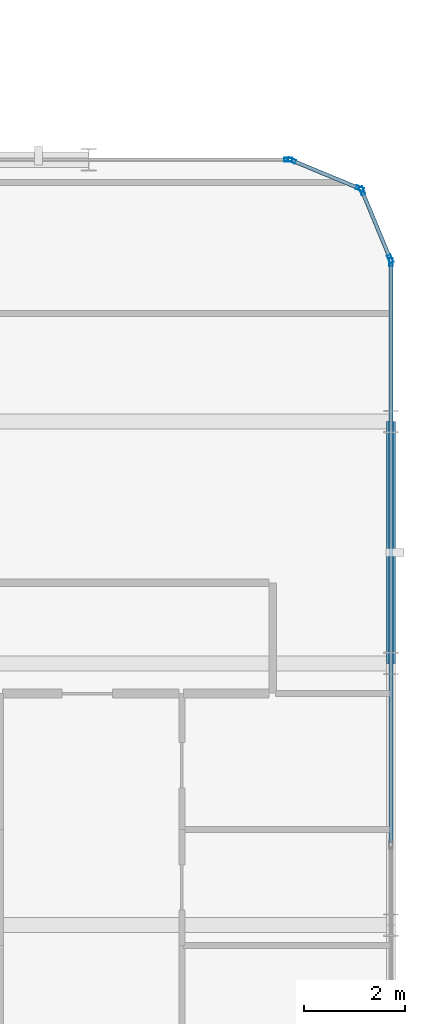
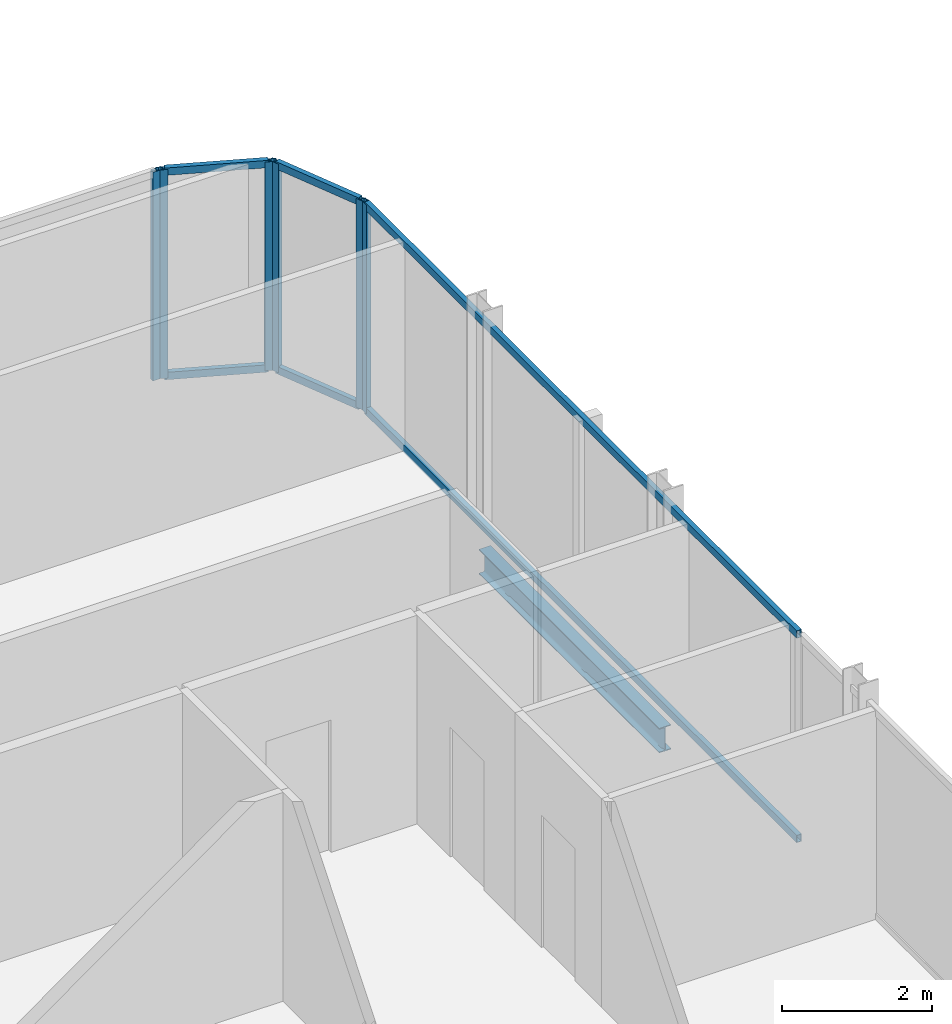
# One storey, part 15 of 29: 12 members, 1 beam, 4 elements without a shape of their own.
"""IFC4 building model written with IfcOpenShell, lengths in metres."""

from ifc_helpers import new_model, si_unit, direction, frame, origin, origin_2d, place, context, subcontext, project, spatial, hollow_rectangle, i_section, extrude, material, layer, layer_set, material_profile, profile_set, type_object, element, aggregate, save


model = new_model("IFC4")

# Units and contexts
model_context = context("Model", 3, precision=1e-05, world=origin(), true_north=direction((0.0, 1.0)))
body_context = subcontext(model_context, "Body", "Model", "MODEL_VIEW")
ifc_project = project(units=[si_unit("LENGTHUNIT", "METRE"), si_unit("AREAUNIT", "SQUARE_METRE"), si_unit("VOLUMEUNIT", "CUBIC_METRE"), si_unit("PLANEANGLEUNIT", "RADIAN"), si_unit("MASSUNIT", "GRAM", prefix="KILO")], contexts=[model_context])

# Site, building, storey
site_placement = place(None, origin())
site = spatial("IfcSite", under=ifc_project, at=site_placement, CompositionType="ELEMENT")
building_placement = place(site_placement, origin())
building = spatial("IfcBuilding", under=site, at=building_placement, Name="Keshet Zoharim Tower", CompositionType="ELEMENT")
storey_placement = place(building_placement, frame((0.0, 0.0, 203.199951171875)))
storey = spatial("IfcBuildingStorey", under=building, at=storey_placement, Name="L50", CompositionType="ELEMENT", Elevation=203.199951171875)

# Beam
ifc_material_1 = material(Name="Steel S355", Category="steel")
ifc_material_profile_1 = material_profile(ifc_material_1, i_section(OverallWidth=0.179931640625, OverallDepth=0.39990234375, WebThickness=0.008544921875, FlangeThickness=0.013427734375, FilletRadius=0.02099609375, at=origin_2d()), Name="IPE400")
ifc_profile_set_1 = profile_set([ifc_material_profile_1], Name="Steel S355")
beam_type = type_object("IfcBeamType", Name="BM-PRI-IP400", PredefinedType="BEAM", material=ifc_profile_set_1)
beam_placement = place(storey_placement, frame((57.0, 17.89990234375, -0.510009765625), z_axis=(0.0, 1.0, 0.0), x_axis=(-1.0, 0.0, 0.0)))
element("IfcBeam", 1, at=beam_placement, inside=storey, type_object=beam_type, Name="L50 Primary Girder Y-015", PredefinedType="BEAM", context=body_context, shape_type="SweptSolid", body=[
    extrude(i_section(OverallWidth=0.179931640625, OverallDepth=0.39990234375, WebThickness=0.008544921875, FlangeThickness=0.013427734375, FilletRadius=0.02099609375, at=origin_2d()), origin(), (0.0, 0.0, 1.0), 4.800048828125),
])

# Curtain wall, members
ifc_material_2 = material(Name="Aluminium 6063-T6", Category="aluminium")
ifc_layer = layer(ifc_material_2, 0.139892578125)
ifc_layer_set = layer_set([ifc_layer], Name="Aluminium 6063-T6")
curtain_wall_type = type_object("IfcCurtainWallType", Name="CW-SYS-05", PredefinedType="NOTDEFINED", material=ifc_layer_set)
curtain_wall_1_placement = place(storey_placement, origin())
curtain_wall_1 = element("IfcCurtainWall", 2, at=curtain_wall_1_placement, inside=storey, type_object=curtain_wall_type, Name="L50 Unitised Curtain Wall 01", PredefinedType="NOTDEFINED")
ifc_material_profile_2 = material_profile(ifc_material_2, hollow_rectangle(XDim=0.074951171875, YDim=0.159912109375, WallThickness=0.00390625, at=origin_2d()), Name="MUL-75x160")
ifc_profile_set_2 = profile_set([ifc_material_profile_2], Name="Aluminium 6063-T6")
member_type_1 = type_object("IfcMemberType", Name="CWM-M15", PredefinedType="MULLION", material=ifc_profile_set_2)
member_1_placement = place(storey_placement, frame((55.0322265625, 27.88671875, 0.0), z_axis=(0.0, 0.0, 1.0), x_axis=(0.382851849847, 0.92380975372, 0.0)))
member_1 = element("IfcMember", 3, at=member_1_placement, type_object=member_type_1, Name="CW-05 mullion 1", PredefinedType="MULLION", context=body_context, shape_type="SweptSolid", body=[
    extrude(hollow_rectangle(XDim=0.074951171875, YDim=0.159912109375, WallThickness=0.00390625, at=origin_2d()), origin(), (0.0, 0.0, 1.0), 3.39013671875),
])
member_2_placement = place(storey_placement, frame((56.381591796875, 27.327392578125, 0.0), z_axis=(0.0, 0.0, 1.0), x_axis=(0.382851849847, 0.92380975372, 0.0)))
member_2 = element("IfcMember", 4, at=member_2_placement, type_object=member_type_1, Name="CW-05 mullion 2", PredefinedType="MULLION", context=body_context, shape_type="SweptSolid", body=[
    extrude(hollow_rectangle(XDim=0.074951171875, YDim=0.159912109375, WallThickness=0.00390625, at=origin_2d()), origin(), (0.0, 0.0, 1.0), 3.39013671875),
])

curtain_wall_2_placement = place(storey_placement, origin())
curtain_wall_2 = element("IfcCurtainWall", 5, at=curtain_wall_2_placement, inside=storey, type_object=curtain_wall_type, Name="L50 Unitised Curtain Wall 02", PredefinedType="NOTDEFINED")
member_3_placement = place(storey_placement, frame((56.427490234375, 27.28173828125, 0.0), z_axis=(0.0, 0.0, 1.0), x_axis=(0.92380975372, 0.382851849847, 0.0)))
member_3 = element("IfcMember", 6, at=member_3_placement, type_object=member_type_1, Name="CW-05 mullion 1", PredefinedType="MULLION", context=body_context, shape_type="SweptSolid", body=[
    extrude(hollow_rectangle(XDim=0.074951171875, YDim=0.159912109375, WallThickness=0.00390625, at=origin_2d()), origin(), (0.0, 0.0, 1.0), 3.39013671875),
])
member_4_placement = place(storey_placement, frame((56.986572265625, 25.932373046875, 0.0), z_axis=(0.0, 0.0, 1.0), x_axis=(0.92380975372, 0.382851849847, 0.0)))
member_4 = element("IfcMember", 7, at=member_4_placement, type_object=member_type_1, Name="CW-05 mullion 2", PredefinedType="MULLION", context=body_context, shape_type="SweptSolid", body=[
    extrude(hollow_rectangle(XDim=0.074951171875, YDim=0.159912109375, WallThickness=0.00390625, at=origin_2d()), origin(), (0.0, 0.0, 1.0), 3.39013671875),
])

# Curtain wall, member
curtain_wall_3_placement = place(storey_placement, origin())
curtain_wall_3 = element("IfcCurtainWall", 8, at=curtain_wall_3_placement, inside=storey, type_object=curtain_wall_type, Name="L50 Unitised Curtain Wall 03", PredefinedType="NOTDEFINED")
member_5_placement = place(storey_placement, frame((57.0, 25.864990234375, 0.0), z_axis=(0.0, 0.0, 1.0), x_axis=(1.0, 0.0, 0.0)))
member_5 = element("IfcMember", 9, at=member_5_placement, type_object=member_type_1, Name="CW-05 mullion 1", PredefinedType="MULLION", context=body_context, shape_type="SweptSolid", body=[
    extrude(hollow_rectangle(XDim=0.074951171875, YDim=0.159912109375, WallThickness=0.00390625, at=origin_2d()), origin(), (0.0, 0.0, 1.0), 3.39013671875),
])

curtain_wall_4_placement = place(storey_placement, origin())
curtain_wall_4 = element("IfcCurtainWall", 10, at=curtain_wall_4_placement, inside=storey, type_object=curtain_wall_type, Name="L50 Unitised Curtain Wall 20 Part 2", PredefinedType="NOTDEFINED")
member_6_placement = place(storey_placement, frame((54.965087890625, 27.89990234375, 0.0), z_axis=(0.0, 0.0, 1.0), x_axis=(0.0, 1.0, 0.0)))
member_6 = element("IfcMember", 11, at=member_6_placement, type_object=member_type_1, Name="CW-05 mullion 2", PredefinedType="MULLION", context=body_context, shape_type="SweptSolid", body=[
    extrude(hollow_rectangle(XDim=0.074951171875, YDim=0.159912109375, WallThickness=0.00390625, at=origin_2d()), origin(), (0.0, 0.0, 1.0), 3.39013671875),
])
aggregate(curtain_wall_4, [member_6])

# Member
ifc_material_profile_3 = material_profile(ifc_material_2, hollow_rectangle(XDim=0.074951171875, YDim=0.1201171875, WallThickness=0.00390625, at=origin_2d()), Name="TRN-75x120")
ifc_profile_set_3 = profile_set([ifc_material_profile_3], Name="Aluminium 6063-T6")
member_type_2 = type_object("IfcMemberType", Name="CWT-T12", PredefinedType="USERDEFINED", material=ifc_profile_set_3)
member_7_placement = place(storey_placement, frame((55.064697265625, 27.873291015625, 0.03515625), z_axis=(0.92379209995, -0.382894445076, 0.0), x_axis=(0.382894445076, 0.92379209995, 0.0)))
member_7 = element("IfcMember", 12, at=member_7_placement, type_object=member_type_2, Name="CW-05 transom 1.1", ObjectType="TRANSOM", PredefinedType="USERDEFINED", context=body_context, shape_type="SweptSolid", body=[
    extrude(hollow_rectangle(XDim=0.074951171875, YDim=0.1201171875, WallThickness=0.00390625, at=origin_2d()), origin(), (0.0, 0.0, 1.0), 1.390625),
])

member_8_placement = place(storey_placement, frame((55.064697265625, 27.873291015625, 3.35498046875), z_axis=(0.92379209995, -0.382894445076, 0.0), x_axis=(0.382894445076, 0.92379209995, 0.0)))
member_8 = element("IfcMember", 13, at=member_8_placement, type_object=member_type_2, Name="CW-05 transom 1.2", ObjectType="TRANSOM", PredefinedType="USERDEFINED", context=body_context, shape_type="SweptSolid", body=[
    extrude(hollow_rectangle(XDim=0.074951171875, YDim=0.1201171875, WallThickness=0.00390625, at=origin_2d()), origin(), (0.0, 0.0, 1.0), 1.390625),
])

aggregate(curtain_wall_1, [member_1, member_2, member_7, member_8])

member_9_placement = place(storey_placement, frame((56.44091796875, 27.249267578125, 0.03515625), z_axis=(0.382744609247, -0.923854189844, 0.0), x_axis=(0.923854189844, 0.382744609247, 0.0)))
member_9 = element("IfcMember", 14, at=member_9_placement, type_object=member_type_2, Name="CW-05 transom 1.1", ObjectType="TRANSOM", PredefinedType="USERDEFINED", context=body_context, shape_type="SweptSolid", body=[
    extrude(hollow_rectangle(XDim=0.074951171875, YDim=0.1201171875, WallThickness=0.00390625, at=origin_2d()), origin(), (0.0, 0.0, 1.0), 1.390625),
])

member_10_placement = place(storey_placement, frame((56.44091796875, 27.249267578125, 3.35498046875), z_axis=(0.382744609247, -0.923854189844, 0.0), x_axis=(0.923854189844, 0.382744609247, 0.0)))
member_10 = element("IfcMember", 15, at=member_10_placement, type_object=member_type_2, Name="CW-05 transom 1.2", ObjectType="TRANSOM", PredefinedType="USERDEFINED", context=body_context, shape_type="SweptSolid", body=[
    extrude(hollow_rectangle(XDim=0.074951171875, YDim=0.1201171875, WallThickness=0.00390625, at=origin_2d()), origin(), (0.0, 0.0, 1.0), 1.390625),
])

aggregate(curtain_wall_2, [member_3, member_4, member_9, member_10])

member_11_placement = place(storey_placement, frame((57.0, 25.830078125, 0.03515625), z_axis=(0.0, -1.0, 0.0), x_axis=(1.0, 0.0, 0.0)))
member_11 = element("IfcMember", 16, at=member_11_placement, type_object=member_type_2, Name="CW-05 transom 1.1", ObjectType="TRANSOM", PredefinedType="USERDEFINED", context=body_context, shape_type="SweptSolid", body=[
    extrude(hollow_rectangle(XDim=0.074951171875, YDim=0.1201171875, WallThickness=0.00390625, at=origin_2d()), origin(), (0.0, 0.0, 1.0), 11.4951171875),
])

member_12_placement = place(storey_placement, frame((57.0, 25.830078125, 3.35498046875), z_axis=(0.0, -1.0, 0.0), x_axis=(1.0, 0.0, 0.0)))
member_12 = element("IfcMember", 17, at=member_12_placement, type_object=member_type_2, Name="CW-05 transom 1.2", ObjectType="TRANSOM", PredefinedType="USERDEFINED", context=body_context, shape_type="SweptSolid", body=[
    extrude(hollow_rectangle(XDim=0.074951171875, YDim=0.1201171875, WallThickness=0.00390625, at=origin_2d()), origin(), (0.0, 0.0, 1.0), 11.4951171875),
])

aggregate(curtain_wall_3, [member_5, member_11, member_12])

save(model, "model.ifc")
